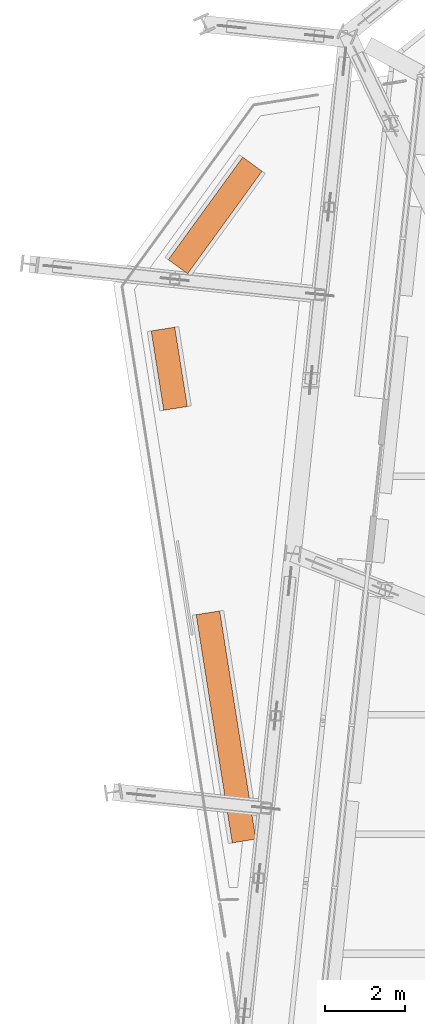
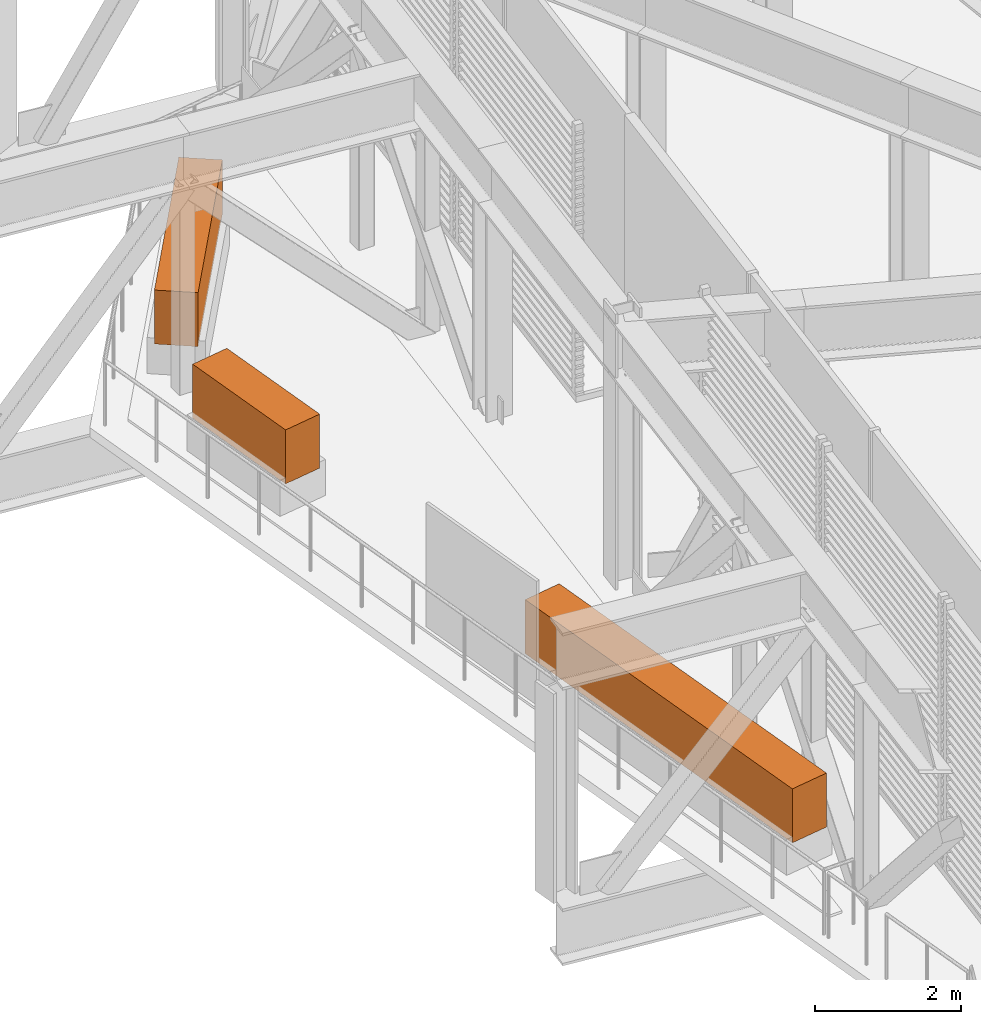
# One storey, part 36 of 36: 3 geographic elements.
"""IFC4 building model written with IfcOpenShell, lengths in metres."""

from ifc_helpers import new_model, si_unit, direction, frame, origin, origin_2d, place, context, subcontext, project, spatial, rectangle, extrude, material, type_object, element, save


model = new_model("IFC4")

# Units and contexts
model_context = context("Model", 3, precision=1e-05, world=origin(), true_north=direction((0.0, 1.0)))
body_context = subcontext(model_context, "Body", "Model", "MODEL_VIEW")
ifc_project = project(units=[si_unit("LENGTHUNIT", "METRE"), si_unit("AREAUNIT", "SQUARE_METRE"), si_unit("VOLUMEUNIT", "CUBIC_METRE"), si_unit("PLANEANGLEUNIT", "RADIAN"), si_unit("MASSUNIT", "GRAM", prefix="KILO")], contexts=[model_context])

# Site, building, storey
site_placement = place(None, origin())
site = spatial("IfcSite", under=ifc_project, at=site_placement, CompositionType="ELEMENT")
building_placement = place(site_placement, origin())
building = spatial("IfcBuilding", under=site, at=building_placement, Name="Millrace Tower", CompositionType="ELEMENT")
storey_placement = place(building_placement, frame((0.0, 0.0, 271.39990234375)))
storey = spatial("IfcBuildingStorey", under=building, at=storey_placement, Name="L62", CompositionType="ELEMENT", Elevation=271.39990234375)

# Geographic elements
ifc_material = material(Name="Planting shrub bed")
geographic_element_type = type_object("IfcGeographicElementType", Name="Shrub bed", PredefinedType="USERDEFINED", material=ifc_material)
geographic_element_1_placement = place(storey_placement, frame((-25.719970703125, 21.547607421875, 0.5400390625), z_axis=(0.0, 0.0, 1.0), x_axis=(-0.587785280998, -0.809016973519, 0.0)))
element("IfcGeographicElement", 1, at=geographic_element_1_placement, inside=storey, type_object=geographic_element_type, Name="Shrub bed T-L61-1-1-1-0", ObjectType="SHRUB", PredefinedType="USERDEFINED", context=body_context, shape_type="SweptSolid", body=[
    extrude(rectangle(XDim=3.18408203125, YDim=0.60009765625, at=origin_2d()), origin(), (0.0, 0.0, 1.0), 0.89990234375),
])
geographic_element_2_placement = place(storey_placement, frame((-26.8740234375, 17.6962890625, 0.5400390625), z_axis=(0.0, 0.0, 1.0), x_axis=(0.156434437235, -0.987688344999, 0.0)))
element("IfcGeographicElement", 2, at=geographic_element_2_placement, inside=storey, type_object=geographic_element_type, Name="Shrub bed T-L61-1-1-2-0", ObjectType="SHRUB", PredefinedType="USERDEFINED", context=body_context, shape_type="SweptSolid", body=[
    extrude(rectangle(XDim=2.017333984375, YDim=0.60009765625, at=origin_2d()), origin(), (0.0, 0.0, 1.0), 0.89990234375),
])
geographic_element_3_placement = place(storey_placement, frame((-25.448974609375, 8.697998046875, 0.5400390625), z_axis=(0.0, 0.0, 1.0), x_axis=(0.156434437235, -0.987688344999, 0.0)))
element("IfcGeographicElement", 3, at=geographic_element_3_placement, inside=storey, type_object=geographic_element_type, Name="Shrub bed T-L61-1-1-2-1", ObjectType="SHRUB", PredefinedType="USERDEFINED", context=body_context, shape_type="SweptSolid", body=[
    extrude(rectangle(XDim=5.8037109375, YDim=0.60009765625, at=origin_2d()), origin(), (0.0, 0.0, 1.0), 0.89990234375),
])

save(model, "model.ifc")
